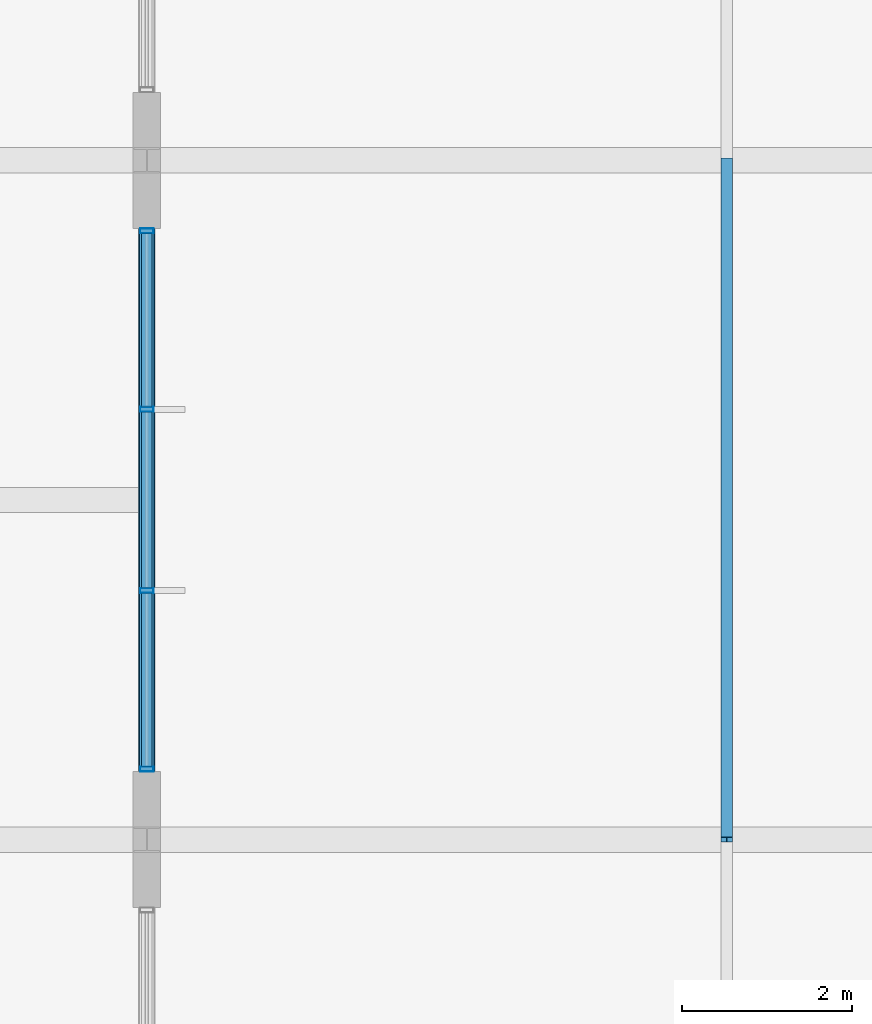
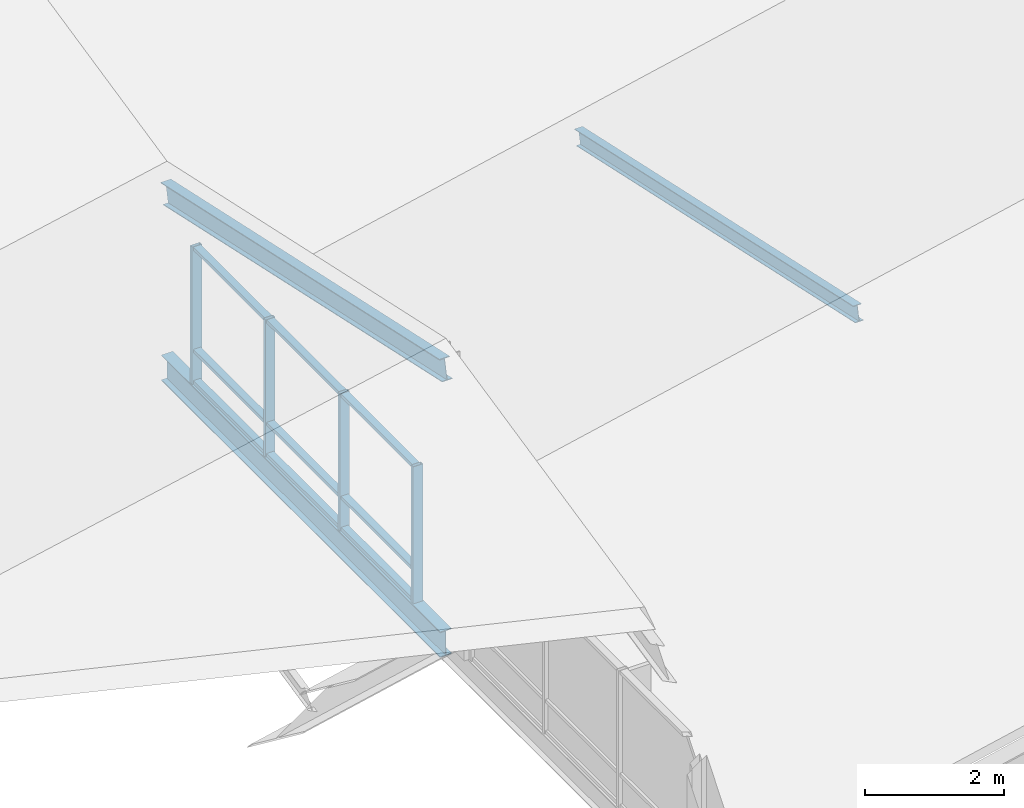
# One storey, part 44 of 109: 14 members, 2 beams, 1 element without a shape of its own.
"""IFC4 building model written with IfcOpenShell, lengths in metres."""

from ifc_helpers import new_model, si_unit, direction, frame, origin, origin_2d, place, context, subcontext, project, spatial, hollow_rectangle, i_section, extrude, material, material_profile, profile_set, type_object, element, aggregate, save


model = new_model("IFC4")

# Units and contexts
model_context = context("Model", 3, precision=1e-05, world=origin(), true_north=direction((0.0, 1.0)))
body_context = subcontext(model_context, "Body", "Model", "MODEL_VIEW")
ifc_project = project(units=[si_unit("LENGTHUNIT", "METRE"), si_unit("AREAUNIT", "SQUARE_METRE"), si_unit("VOLUMEUNIT", "CUBIC_METRE"), si_unit("PLANEANGLEUNIT", "RADIAN"), si_unit("MASSUNIT", "GRAM", prefix="KILO")], contexts=[model_context])

# Site, building, storey
site_placement = place(None, origin())
site = spatial("IfcSite", under=ifc_project, at=site_placement, CompositionType="ELEMENT")
building_placement = place(site_placement, origin())
building = spatial("IfcBuilding", under=site, at=building_placement, Name="Zavelmont Quarter", CompositionType="ELEMENT")
storey_placement = place(building_placement, frame((0.0, 0.0, 8.0)))
storey = spatial("IfcBuildingStorey", under=building, at=storey_placement, Name="L02", CompositionType="ELEMENT", Elevation=8.0)

# Beams
ifc_material_1 = material(Name="Steel S355", Category="steel")
ifc_material_profile_1 = material_profile(ifc_material_1, i_section(OverallWidth=0.18994140625, OverallDepth=0.449951171875, WebThickness=0.009521484375, FlangeThickness=0.0146484375, at=origin_2d()), Name="IPE 450")
ifc_profile_set_1 = profile_set([ifc_material_profile_1], Name="Steel S355")
beam_type_1 = type_object("IfcBeamType", Name="BM12", PredefinedType="BEAM", material=ifc_profile_set_1)
beam_1_placement = place(storey_placement, frame((147.300048828125, 46.0, -0.5849609375), z_axis=(0.0, 1.0, 0.0), x_axis=(-1.0, 0.0, 0.0)))
element("IfcBeam", 1, at=beam_1_placement, inside=storey, type_object=beam_type_1, Name="L02 beam BM12 22/H to 22/J", PredefinedType="BEAM", context=body_context, shape_type="SweptSolid", body=[
    extrude(i_section(OverallWidth=0.18994140625, OverallDepth=0.449951171875, WebThickness=0.009521484375, FlangeThickness=0.0146484375, at=origin_2d()), origin(), (0.0, 0.0, 1.0), 8.0),
])
ifc_material_profile_2 = material_profile(ifc_material_1, i_section(OverallWidth=0.169921875, OverallDepth=0.360107421875, WebThickness=0.008056640625, FlangeThickness=0.0126953125, at=origin_2d()), Name="IPE 360")
ifc_profile_set_2 = profile_set([ifc_material_profile_2], Name="Steel S355")
beam_type_2 = type_object("IfcBeamType", Name="BM13", PredefinedType="BEAM", material=ifc_profile_set_2)
beam_2_placement = place(storey_placement, frame((147.300048828125, 46.0, 4.2099609375), z_axis=(0.0, 0.976900017396, -0.213696878805), x_axis=(-1.0, 0.0, 0.0)))
element("IfcBeam", 2, at=beam_2_placement, inside=storey, type_object=beam_type_2, Name="L02 beam BM13 22/H to 22/J", PredefinedType="BEAM", context=body_context, shape_type="SweptSolid", body=[
    extrude(i_section(OverallWidth=0.169921875, OverallDepth=0.360107421875, WebThickness=0.008056640625, FlangeThickness=0.0126953125, at=origin_2d()), origin(), (0.0, 0.0, 1.0), 8.189208984375),
])

# Curtain wall, members
ifc_material_2 = material(Name="Thermally broken aluminium and double low-E safety glazing", Category="aluminium")
curtain_wall_type = type_object("IfcCurtainWallType", Name="CW-640X240", PredefinedType="NOTDEFINED", material=ifc_material_2)
curtain_wall_placement = place(storey_placement, origin())
curtain_wall = element("IfcCurtainWall", 3, at=curtain_wall_placement, inside=storey, type_object=curtain_wall_type, Name="L02 unitised curtain wall CW-640X240", PredefinedType="NOTDEFINED")
ifc_material_3 = material(Name="Powder-coated aluminium EN AW-6063-T6", Category="aluminium")
ifc_material_profile_3 = material_profile(ifc_material_3, hollow_rectangle(XDim=0.06005859375, YDim=0.159912109375, WallThickness=0.00390625, at=origin_2d()), Name="CWM60X160")
ifc_profile_set_3 = profile_set([ifc_material_profile_3], Name="Powder-coated aluminium EN AW-6063-T6")
member_type_1 = type_object("IfcMemberType", Name="CWM01", PredefinedType="MULLION", material=ifc_profile_set_3)
member_1_placement = place(storey_placement, frame((147.300048828125, 46.830078125, -0.360107421875), z_axis=(0.0, 0.0, 1.0), x_axis=(0.0, 1.0, 0.0)))
member_1 = element("IfcMember", 4, at=member_1_placement, type_object=member_type_1, Name="CW-640X240 mullion 1", PredefinedType="MULLION", context=body_context, shape_type="SweptSolid", body=[
    extrude(hollow_rectangle(XDim=0.06005859375, YDim=0.159912109375, WallThickness=0.00390625, at=origin_2d()), origin(), (0.0, 0.0, 1.0), 2.400146484375),
])
member_2_placement = place(storey_placement, frame((147.300048828125, 48.933349609375, -0.360107421875), z_axis=(0.0, 0.0, 1.0), x_axis=(0.0, 1.0, 0.0)))
member_2 = element("IfcMember", 5, at=member_2_placement, type_object=member_type_1, Name="CW-640X240 mullion 2", PredefinedType="MULLION", context=body_context, shape_type="SweptSolid", body=[
    extrude(hollow_rectangle(XDim=0.06005859375, YDim=0.159912109375, WallThickness=0.00390625, at=origin_2d()), origin(), (0.0, 0.0, 1.0), 2.400146484375),
])
member_3_placement = place(storey_placement, frame((147.300048828125, 51.066650390625, -0.360107421875), z_axis=(0.0, 0.0, 1.0), x_axis=(0.0, 1.0, 0.0)))
member_3 = element("IfcMember", 6, at=member_3_placement, type_object=member_type_1, Name="CW-640X240 mullion 3", PredefinedType="MULLION", context=body_context, shape_type="SweptSolid", body=[
    extrude(hollow_rectangle(XDim=0.06005859375, YDim=0.159912109375, WallThickness=0.00390625, at=origin_2d()), origin(), (0.0, 0.0, 1.0), 2.400146484375),
])
member_4_placement = place(storey_placement, frame((147.300048828125, 53.169921875, -0.360107421875), z_axis=(0.0, 0.0, 1.0), x_axis=(0.0, 1.0, 0.0)))
member_4 = element("IfcMember", 7, at=member_4_placement, type_object=member_type_1, Name="CW-640X240 mullion 4", PredefinedType="MULLION", context=body_context, shape_type="SweptSolid", body=[
    extrude(hollow_rectangle(XDim=0.06005859375, YDim=0.159912109375, WallThickness=0.00390625, at=origin_2d()), origin(), (0.0, 0.0, 1.0), 2.400146484375),
])
ifc_material_profile_4 = material_profile(ifc_material_3, hollow_rectangle(XDim=0.1201171875, YDim=0.06005859375, WallThickness=0.00390625, at=origin_2d()), Name="CWT60X120")
ifc_profile_set_4 = profile_set([ifc_material_profile_4], Name="Powder-coated aluminium EN AW-6063-T6")
member_type_2 = type_object("IfcMemberType", Name="CWT01", PredefinedType="NOTDEFINED", material=ifc_profile_set_4)
member_5_placement = place(storey_placement, frame((147.300048828125, 46.860107421875, -0.330078125), z_axis=(0.0, 1.0, 0.0), x_axis=(-1.0, 0.0, 0.0)))
member_5 = element("IfcMember", 8, at=member_5_placement, type_object=member_type_2, Name="CW-640X240 transom 1.1", ObjectType="TRANSOM", PredefinedType="USERDEFINED", context=body_context, shape_type="SweptSolid", body=[
    extrude(hollow_rectangle(XDim=0.1201171875, YDim=0.06005859375, WallThickness=0.00390625, at=origin_2d()), origin(), (0.0, 0.0, 1.0), 2.043212890625),
])
member_6_placement = place(storey_placement, frame((147.300048828125, 46.860107421875, 0.216064453125), z_axis=(0.0, 1.0, 0.0), x_axis=(-1.0, 0.0, 0.0)))
member_6 = element("IfcMember", 9, at=member_6_placement, type_object=member_type_2, Name="CW-640X240 transom 1.2", ObjectType="TRANSOM", PredefinedType="USERDEFINED", context=body_context, shape_type="SweptSolid", body=[
    extrude(hollow_rectangle(XDim=0.1201171875, YDim=0.06005859375, WallThickness=0.00390625, at=origin_2d()), origin(), (0.0, 0.0, 1.0), 2.043212890625),
])
member_7_placement = place(storey_placement, frame((147.300048828125, 46.860107421875, 2.010009765625), z_axis=(0.0, 1.0, 0.0), x_axis=(-1.0, 0.0, 0.0)))
member_7 = element("IfcMember", 10, at=member_7_placement, type_object=member_type_2, Name="CW-640X240 transom 1.3", ObjectType="TRANSOM", PredefinedType="USERDEFINED", context=body_context, shape_type="SweptSolid", body=[
    extrude(hollow_rectangle(XDim=0.1201171875, YDim=0.06005859375, WallThickness=0.00390625, at=origin_2d()), origin(), (0.0, 0.0, 1.0), 2.043212890625),
])
member_8_placement = place(storey_placement, frame((147.300048828125, 48.96337890625, -0.330078125), z_axis=(0.0, 1.0, 0.0), x_axis=(-1.0, 0.0, 0.0)))
member_8 = element("IfcMember", 11, at=member_8_placement, type_object=member_type_2, Name="CW-640X240 transom 2.1", ObjectType="TRANSOM", PredefinedType="USERDEFINED", context=body_context, shape_type="SweptSolid", body=[
    extrude(hollow_rectangle(XDim=0.1201171875, YDim=0.06005859375, WallThickness=0.00390625, at=origin_2d()), origin(), (0.0, 0.0, 1.0), 2.0732421875),
])
member_9_placement = place(storey_placement, frame((147.300048828125, 48.96337890625, 0.216064453125), z_axis=(0.0, 1.0, 0.0), x_axis=(-1.0, 0.0, 0.0)))
member_9 = element("IfcMember", 12, at=member_9_placement, type_object=member_type_2, Name="CW-640X240 transom 2.2", ObjectType="TRANSOM", PredefinedType="USERDEFINED", context=body_context, shape_type="SweptSolid", body=[
    extrude(hollow_rectangle(XDim=0.1201171875, YDim=0.06005859375, WallThickness=0.00390625, at=origin_2d()), origin(), (0.0, 0.0, 1.0), 2.0732421875),
])
member_10_placement = place(storey_placement, frame((147.300048828125, 48.96337890625, 2.010009765625), z_axis=(0.0, 1.0, 0.0), x_axis=(-1.0, 0.0, 0.0)))
member_10 = element("IfcMember", 13, at=member_10_placement, type_object=member_type_2, Name="CW-640X240 transom 2.3", ObjectType="TRANSOM", PredefinedType="USERDEFINED", context=body_context, shape_type="SweptSolid", body=[
    extrude(hollow_rectangle(XDim=0.1201171875, YDim=0.06005859375, WallThickness=0.00390625, at=origin_2d()), origin(), (0.0, 0.0, 1.0), 2.0732421875),
])
member_11_placement = place(storey_placement, frame((147.300048828125, 51.0966796875, -0.330078125), z_axis=(0.0, 1.0, 0.0), x_axis=(-1.0, 0.0, 0.0)))
member_11 = element("IfcMember", 14, at=member_11_placement, type_object=member_type_2, Name="CW-640X240 transom 3.1", ObjectType="TRANSOM", PredefinedType="USERDEFINED", context=body_context, shape_type="SweptSolid", body=[
    extrude(hollow_rectangle(XDim=0.1201171875, YDim=0.06005859375, WallThickness=0.00390625, at=origin_2d()), origin(), (0.0, 0.0, 1.0), 2.043212890625),
])
member_12_placement = place(storey_placement, frame((147.300048828125, 51.0966796875, 0.216064453125), z_axis=(0.0, 1.0, 0.0), x_axis=(-1.0, 0.0, 0.0)))
member_12 = element("IfcMember", 15, at=member_12_placement, type_object=member_type_2, Name="CW-640X240 transom 3.2", ObjectType="TRANSOM", PredefinedType="USERDEFINED", context=body_context, shape_type="SweptSolid", body=[
    extrude(hollow_rectangle(XDim=0.1201171875, YDim=0.06005859375, WallThickness=0.00390625, at=origin_2d()), origin(), (0.0, 0.0, 1.0), 2.043212890625),
])
member_13_placement = place(storey_placement, frame((147.300048828125, 51.0966796875, 2.010009765625), z_axis=(0.0, 1.0, 0.0), x_axis=(-1.0, 0.0, 0.0)))
member_13 = element("IfcMember", 16, at=member_13_placement, type_object=member_type_2, Name="CW-640X240 transom 3.3", ObjectType="TRANSOM", PredefinedType="USERDEFINED", context=body_context, shape_type="SweptSolid", body=[
    extrude(hollow_rectangle(XDim=0.1201171875, YDim=0.06005859375, WallThickness=0.00390625, at=origin_2d()), origin(), (0.0, 0.0, 1.0), 2.043212890625),
])
aggregate(curtain_wall, [member_1, member_2, member_3, member_4, member_5, member_6, member_7, member_8, member_9, member_10, member_11, member_12, member_13])

# Member
ifc_material_profile_5 = material_profile(ifc_material_1, i_section(OverallWidth=0.135009765625, OverallDepth=0.27001953125, WebThickness=0.006591796875, FlangeThickness=0.01025390625, at=origin_2d()), Name="IPE 270")
ifc_profile_set_5 = profile_set([ifc_material_profile_5], Name="Steel S355")
member_type_3 = type_object("IfcMemberType", Name="PR01", PredefinedType="PURLIN", material=ifc_profile_set_5)
member_14_placement = place(storey_placement, frame((154.131103515625, 46.0, 2.79638671875), z_axis=(0.0, 0.976900017396, -0.213696878805), x_axis=(-1.0, 0.0, 0.0)))
element("IfcMember", 17, at=member_14_placement, inside=storey, type_object=member_type_3, Name="L02 member PR01 23/H to 23/J", PredefinedType="PURLIN", context=body_context, shape_type="SweptSolid", body=[
    extrude(i_section(OverallWidth=0.135009765625, OverallDepth=0.27001953125, WebThickness=0.006591796875, FlangeThickness=0.01025390625, at=origin_2d()), origin(), (0.0, 0.0, 1.0), 8.189208984375),
])

save(model, "model.ifc")
